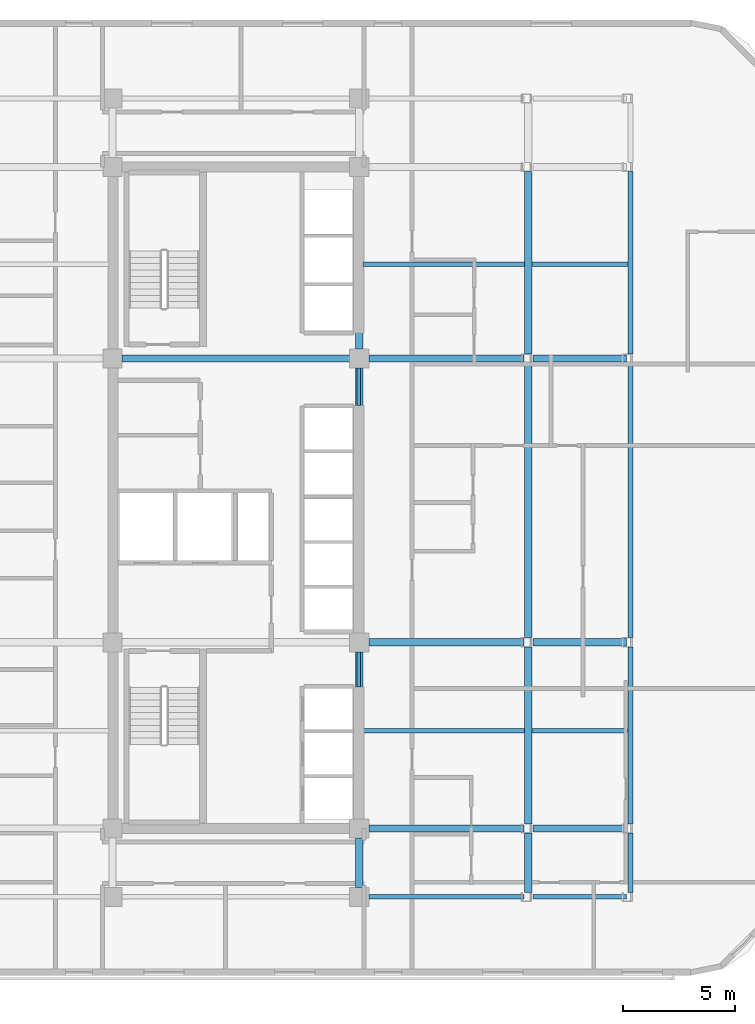
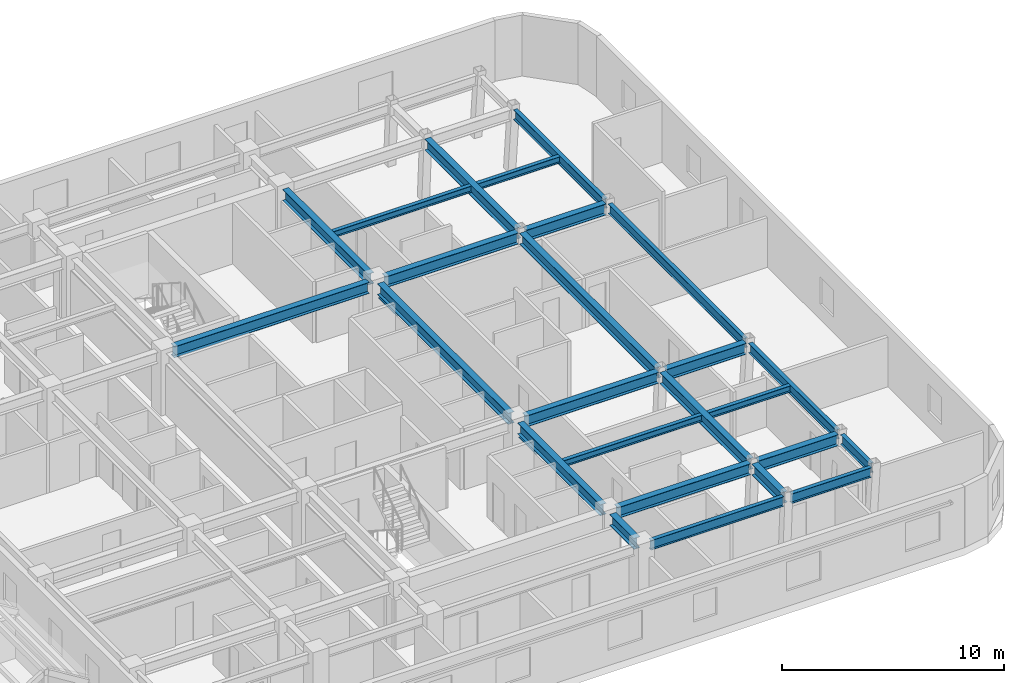
# One storey, part 5 of 19: 27 beams.
"""IFC4 building model written with IfcOpenShell, lengths in metres."""

from ifc_helpers import new_model, si_unit, direction, frame, origin, origin_2d, place, context, subcontext, project, spatial, i_section, extrude, material, material_profile, profile_set, type_object, element, save


model = new_model("IFC4")

# Units and contexts
model_context = context("Model", 3, precision=1e-05, world=origin(), true_north=direction((0.0, 1.0)))
body_context = subcontext(model_context, "Body", "Model", "MODEL_VIEW")
ifc_project = project(units=[si_unit("LENGTHUNIT", "METRE"), si_unit("AREAUNIT", "SQUARE_METRE"), si_unit("VOLUMEUNIT", "CUBIC_METRE"), si_unit("PLANEANGLEUNIT", "RADIAN"), si_unit("MASSUNIT", "GRAM", prefix="KILO")], contexts=[model_context])

# Site, building, storey
site_placement = place(None, origin())
site = spatial("IfcSite", under=ifc_project, at=site_placement, CompositionType="ELEMENT")
building_placement = place(site_placement, origin())
building = spatial("IfcBuilding", under=site, at=building_placement, Name="Ochreholt Gables", CompositionType="ELEMENT")
storey_placement = place(building_placement, frame((0.0, 0.0, 76.800048828125)))
storey = spatial("IfcBuildingStorey", under=building, at=storey_placement, Name="L19", CompositionType="ELEMENT", Elevation=76.800048828125)

# Beams
ifc_material = material(Name="Steel CSA G40.21 350W", Category="steel")
ifc_material_profile_1 = material_profile(ifc_material, i_section(OverallWidth=0.323974609375, OverallDepth=0.611083984375, WebThickness=0.0126953125, FlangeThickness=0.01904296875, at=origin_2d()), Name="W610X155")
ifc_profile_set_1 = profile_set([ifc_material_profile_1], Name="Steel CSA G40.21 350W")
beam_type_1 = type_object("IfcBeamType", Name="BM-G-W610A", PredefinedType="BEAM", material=ifc_profile_set_1)
beam_1_placement = place(storey_placement, frame((35.62451171875, 9.25, 3.054443359375), z_axis=(1.0, 0.0, 0.0), x_axis=(0.0, 1.0, 0.0)))
element("IfcBeam", 1, at=beam_1_placement, inside=storey, type_object=beam_type_1, Name="L19 Beam TBG-L19-C2EM-Y2", PredefinedType="BEAM", context=body_context, shape_type="SweptSolid", body=[
    extrude(i_section(OverallWidth=0.323974609375, OverallDepth=0.611083984375, WebThickness=0.0126953125, FlangeThickness=0.01904296875, at=origin_2d()), origin(), (0.0, 0.0, 1.0), 6.9228515625),
])
beam_2_placement = place(storey_placement, frame((42.95263671875, 9.25, 3.054443359375), z_axis=(1.0, 0.0, 0.0), x_axis=(0.0, 1.0, 0.0)))
element("IfcBeam", 2, at=beam_2_placement, inside=storey, type_object=beam_type_1, Name="L19 Beam TBG-L19-EMEE-Y2", PredefinedType="BEAM", context=body_context, shape_type="SweptSolid", body=[
    extrude(i_section(OverallWidth=0.323974609375, OverallDepth=0.611083984375, WebThickness=0.0126953125, FlangeThickness=0.01904296875, at=origin_2d()), origin(), (0.0, 0.0, 1.0), 4.164794921875),
])
beam_3_placement = place(storey_placement, frame((35.62451171875, 17.550048828125, 3.054443359375), z_axis=(1.0, 0.0, 0.0), x_axis=(0.0, 1.0, 0.0)))
element("IfcBeam", 3, at=beam_3_placement, inside=storey, type_object=beam_type_1, Name="L19 Beam TBG-L19-C2EM-Y3", PredefinedType="BEAM", context=body_context, shape_type="SweptSolid", body=[
    extrude(i_section(OverallWidth=0.323974609375, OverallDepth=0.611083984375, WebThickness=0.0126953125, FlangeThickness=0.01904296875, at=origin_2d()), origin(), (0.0, 0.0, 1.0), 6.9228515625),
])
beam_4_placement = place(storey_placement, frame((42.95263671875, 17.550048828125, 3.054443359375), z_axis=(1.0, 0.0, 0.0), x_axis=(0.0, 1.0, 0.0)))
element("IfcBeam", 4, at=beam_4_placement, inside=storey, type_object=beam_type_1, Name="L19 Beam TBG-L19-EMEE-Y3", PredefinedType="BEAM", context=body_context, shape_type="SweptSolid", body=[
    extrude(i_section(OverallWidth=0.323974609375, OverallDepth=0.611083984375, WebThickness=0.0126953125, FlangeThickness=0.01904296875, at=origin_2d()), origin(), (0.0, 0.0, 1.0), 4.164794921875),
])
beam_5_placement = place(storey_placement, frame((24.62451171875, 30.199951171875, 3.054443359375), z_axis=(1.0, 0.0, 0.0), x_axis=(0.0, 1.0, 0.0)))
element("IfcBeam", 5, at=beam_5_placement, inside=storey, type_object=beam_type_1, Name="L19 Beam TBG-L19-C1C2-Y4", PredefinedType="BEAM", context=body_context, shape_type="SweptSolid", body=[
    extrude(i_section(OverallWidth=0.323974609375, OverallDepth=0.611083984375, WebThickness=0.0126953125, FlangeThickness=0.01904296875, at=origin_2d()), origin(), (0.0, 0.0, 1.0), 10.15087890625),
])
beam_6_placement = place(storey_placement, frame((35.62451171875, 30.199951171875, 3.054443359375), z_axis=(1.0, 0.0, 0.0), x_axis=(0.0, 1.0, 0.0)))
element("IfcBeam", 6, at=beam_6_placement, inside=storey, type_object=beam_type_1, Name="L19 Beam TBG-L19-C2EM-Y4", PredefinedType="BEAM", context=body_context, shape_type="SweptSolid", body=[
    extrude(i_section(OverallWidth=0.323974609375, OverallDepth=0.611083984375, WebThickness=0.0126953125, FlangeThickness=0.01904296875, at=origin_2d()), origin(), (0.0, 0.0, 1.0), 6.9228515625),
])
beam_7_placement = place(storey_placement, frame((42.95263671875, 30.199951171875, 3.054443359375), z_axis=(1.0, 0.0, 0.0), x_axis=(0.0, 1.0, 0.0)))
element("IfcBeam", 7, at=beam_7_placement, inside=storey, type_object=beam_type_1, Name="L19 Beam TBG-L19-EMEE-Y4", PredefinedType="BEAM", context=body_context, shape_type="SweptSolid", body=[
    extrude(i_section(OverallWidth=0.323974609375, OverallDepth=0.611083984375, WebThickness=0.0126953125, FlangeThickness=0.01904296875, at=origin_2d()), origin(), (0.0, 0.0, 1.0), 4.164794921875),
])
beam_8_placement = place(storey_placement, frame((35.199951171875, 6.62451171875, 3.054443359375), z_axis=(0.0, 1.0, 0.0), x_axis=(-1.0, 0.0, 0.0)))
element("IfcBeam", 8, at=beam_8_placement, inside=storey, type_object=beam_type_1, Name="L19 Beam TBN-L19-C2-Y1Y2", PredefinedType="BEAM", context=body_context, shape_type="SweptSolid", body=[
    extrude(i_section(OverallWidth=0.323974609375, OverallDepth=0.611083984375, WebThickness=0.0126953125, FlangeThickness=0.01904296875, at=origin_2d()), origin(), (0.0, 0.0, 1.0), 2.200927734375),
])
beam_9_placement = place(storey_placement, frame((35.199951171875, 9.674560546875, 3.054443359375), z_axis=(0.0, 1.0, 0.0), x_axis=(-1.0, 0.0, 0.0)))
element("IfcBeam", 9, at=beam_9_placement, inside=storey, type_object=beam_type_1, Name="L19 Beam TBN-L19-C2-Y2Y3", PredefinedType="BEAM", context=body_context, shape_type="SweptSolid", body=[
    extrude(i_section(OverallWidth=0.323974609375, OverallDepth=0.611083984375, WebThickness=0.0126953125, FlangeThickness=0.01904296875, at=origin_2d()), origin(), (0.0, 0.0, 1.0), 7.450927734375),
])
beam_10_placement = place(storey_placement, frame((35.199951171875, 17.974609375, 3.054443359375), z_axis=(0.0, 1.0, 0.0), x_axis=(-1.0, 0.0, 0.0)))
element("IfcBeam", 10, at=beam_10_placement, inside=storey, type_object=beam_type_1, Name="L19 Beam TBN-L19-C2-Y3Y4", PredefinedType="BEAM", context=body_context, shape_type="SweptSolid", body=[
    extrude(i_section(OverallWidth=0.323974609375, OverallDepth=0.611083984375, WebThickness=0.0126953125, FlangeThickness=0.01904296875, at=origin_2d()), origin(), (0.0, 0.0, 1.0), 11.80078125),
])
beam_11_placement = place(storey_placement, frame((35.199951171875, 30.62451171875, 3.054443359375), z_axis=(0.0, 1.0, 0.0), x_axis=(-1.0, 0.0, 0.0)))
element("IfcBeam", 11, at=beam_11_placement, inside=storey, type_object=beam_type_1, Name="L19 Beam TBN-L19-C2-Y4Y5", PredefinedType="BEAM", context=body_context, shape_type="SweptSolid", body=[
    extrude(i_section(OverallWidth=0.323974609375, OverallDepth=0.611083984375, WebThickness=0.0126953125, FlangeThickness=0.01904296875, at=origin_2d()), origin(), (0.0, 0.0, 1.0), 7.700927734375),
])
beam_12_placement = place(storey_placement, frame((42.73291015625, 6.402587890625, 3.054443359375), z_axis=(0.0, 1.0, 0.0), x_axis=(-1.0, 0.0, 0.0)))
element("IfcBeam", 12, at=beam_12_placement, inside=storey, type_object=beam_type_1, Name="L19 Beam TBN-L19-EM-Y1Y2", PredefinedType="BEAM", context=body_context, shape_type="SweptSolid", body=[
    extrude(i_section(OverallWidth=0.323974609375, OverallDepth=0.611083984375, WebThickness=0.0126953125, FlangeThickness=0.01904296875, at=origin_2d()), origin(), (0.0, 0.0, 1.0), 2.644775390625),
])
beam_13_placement = place(storey_placement, frame((42.73291015625, 9.45263671875, 3.054443359375), z_axis=(0.0, 1.0, 0.0), x_axis=(-1.0, 0.0, 0.0)))
element("IfcBeam", 13, at=beam_13_placement, inside=storey, type_object=beam_type_1, Name="L19 Beam TBN-L19-EM-Y2Y3", PredefinedType="BEAM", context=body_context, shape_type="SweptSolid", body=[
    extrude(i_section(OverallWidth=0.323974609375, OverallDepth=0.611083984375, WebThickness=0.0126953125, FlangeThickness=0.01904296875, at=origin_2d()), origin(), (0.0, 0.0, 1.0), 7.894775390625),
])
beam_14_placement = place(storey_placement, frame((42.73291015625, 17.752685546875, 3.054443359375), z_axis=(0.0, 1.0, 0.0), x_axis=(-1.0, 0.0, 0.0)))
element("IfcBeam", 14, at=beam_14_placement, inside=storey, type_object=beam_type_1, Name="L19 Beam TBN-L19-EM-Y3Y4", PredefinedType="BEAM", context=body_context, shape_type="SweptSolid", body=[
    extrude(i_section(OverallWidth=0.323974609375, OverallDepth=0.611083984375, WebThickness=0.0126953125, FlangeThickness=0.01904296875, at=origin_2d()), origin(), (0.0, 0.0, 1.0), 12.24462890625),
])
beam_15_placement = place(storey_placement, frame((42.73291015625, 30.402587890625, 3.054443359375), z_axis=(0.0, 1.0, 0.0), x_axis=(-1.0, 0.0, 0.0)))
element("IfcBeam", 15, at=beam_15_placement, inside=storey, type_object=beam_type_1, Name="L19 Beam TBN-L19-EM-Y4Y5", PredefinedType="BEAM", context=body_context, shape_type="SweptSolid", body=[
    extrude(i_section(OverallWidth=0.323974609375, OverallDepth=0.611083984375, WebThickness=0.0126953125, FlangeThickness=0.01904296875, at=origin_2d()), origin(), (0.0, 0.0, 1.0), 8.144775390625),
])
ifc_material_profile_2 = material_profile(ifc_material, i_section(OverallWidth=0.205078125, OverallDepth=0.35400390625, WebThickness=0.009521484375, FlangeThickness=0.016845703125, at=origin_2d()), Name="W360X79")
ifc_profile_set_2 = profile_set([ifc_material_profile_2], Name="Steel CSA G40.21 350W")
beam_type_2 = type_object("IfcBeamType", Name="BM-J-W360A", PredefinedType="JOIST", material=ifc_profile_set_2)
beam_16_placement = place(storey_placement, frame((35.361572265625, 13.60009765625, 3.182861328125), z_axis=(1.0, 0.0, 0.0), x_axis=(0.0, 1.0, 0.0)))
element("IfcBeam", 16, at=beam_16_placement, inside=storey, type_object=beam_type_2, Name="L19 Beam TBJ-L19-J1-C2EM", PredefinedType="JOIST", context=body_context, shape_type="SweptSolid", body=[
    extrude(i_section(OverallWidth=0.205078125, OverallDepth=0.35400390625, WebThickness=0.009521484375, FlangeThickness=0.016845703125, at=origin_2d()), origin(), (0.0, 0.0, 1.0), 7.209716796875),
])
beam_17_placement = place(storey_placement, frame((42.894287109375, 13.60009765625, 3.182861328125), z_axis=(1.0, 0.0, 0.0), x_axis=(0.0, 1.0, 0.0)))
element("IfcBeam", 17, at=beam_17_placement, inside=storey, type_object=beam_type_2, Name="L19 Beam TBJ-L19-J1-EMEE", PredefinedType="JOIST", context=body_context, shape_type="SweptSolid", body=[
    extrude(i_section(OverallWidth=0.205078125, OverallDepth=0.35400390625, WebThickness=0.009521484375, FlangeThickness=0.016845703125, at=origin_2d()), origin(), (0.0, 0.0, 1.0), 4.293212890625),
])
beam_18_placement = place(storey_placement, frame((35.361572265625, 34.39990234375, 3.182861328125), z_axis=(1.0, 0.0, 0.0), x_axis=(0.0, 1.0, 0.0)))
element("IfcBeam", 18, at=beam_18_placement, inside=storey, type_object=beam_type_2, Name="L19 Beam TBJ-L19-J2-C2EM", PredefinedType="JOIST", context=body_context, shape_type="SweptSolid", body=[
    extrude(i_section(OverallWidth=0.205078125, OverallDepth=0.35400390625, WebThickness=0.009521484375, FlangeThickness=0.016845703125, at=origin_2d()), origin(), (0.0, 0.0, 1.0), 7.209716796875),
])
beam_19_placement = place(storey_placement, frame((42.894287109375, 34.39990234375, 3.182861328125), z_axis=(1.0, 0.0, 0.0), x_axis=(0.0, 1.0, 0.0)))
element("IfcBeam", 19, at=beam_19_placement, inside=storey, type_object=beam_type_2, Name="L19 Beam TBJ-L19-J2-EMEE", PredefinedType="JOIST", context=body_context, shape_type="SweptSolid", body=[
    extrude(i_section(OverallWidth=0.205078125, OverallDepth=0.35400390625, WebThickness=0.009521484375, FlangeThickness=0.016845703125, at=origin_2d()), origin(), (0.0, 0.0, 1.0), 4.293212890625),
])
ifc_material_profile_3 = material_profile(ifc_material, i_section(OverallWidth=0.1650390625, OverallDepth=0.200927734375, WebThickness=0.006103515625, FlangeThickness=0.01025390625, at=origin_2d()), Name="W200X36")
ifc_profile_set_3 = profile_set([ifc_material_profile_3], Name="Steel CSA G40.21 350W")
beam_type_3 = type_object("IfcBeamType", Name="BM-LIN-W200", PredefinedType="LINTEL", material=ifc_profile_set_3)
beam_20_placement = place(storey_placement, frame((35.175048828125, 15.550048828125, 2.6484375), z_axis=(0.0, 1.0, 0.0), x_axis=(-1.0, 0.0, 0.0)))
element("IfcBeam", 20, at=beam_20_placement, inside=storey, type_object=beam_type_3, Name="L19 Core Coupling Lintel CPS", PredefinedType="LINTEL", context=body_context, shape_type="SweptSolid", body=[
    extrude(i_section(OverallWidth=0.1650390625, OverallDepth=0.200927734375, WebThickness=0.006103515625, FlangeThickness=0.01025390625, at=origin_2d()), origin(), (0.0, 0.0, 1.0), 1.574951171875),
])
beam_21_placement = place(storey_placement, frame((35.175048828125, 28.10009765625, 2.6484375), z_axis=(0.0, 1.0, 0.0), x_axis=(-1.0, 0.0, 0.0)))
element("IfcBeam", 21, at=beam_21_placement, inside=storey, type_object=beam_type_3, Name="L19 Core Coupling Lintel CPN", PredefinedType="LINTEL", context=body_context, shape_type="SweptSolid", body=[
    extrude(i_section(OverallWidth=0.1650390625, OverallDepth=0.200927734375, WebThickness=0.006103515625, FlangeThickness=0.01025390625, at=origin_2d()), origin(), (0.0, 0.0, 1.0), 1.6748046875),
])
ifc_material_profile_4 = material_profile(ifc_material, i_section(OverallWidth=0.208984375, OverallDepth=0.532958984375, WebThickness=0.01025390625, FlangeThickness=0.015625, at=origin_2d()), Name="W530X92")
ifc_profile_set_4 = profile_set([ifc_material_profile_4], Name="Steel CSA G40.21 350W")
beam_type_4 = type_object("IfcBeamType", Name="BM-SP-W530B", PredefinedType="SPANDREL", material=ifc_profile_set_4)
beam_22_placement = place(storey_placement, frame((35.62451171875, 6.199951171875, 3.093505859375), z_axis=(1.0, 0.0, 0.0), x_axis=(0.0, 1.0, 0.0)))
element("IfcBeam", 22, at=beam_22_placement, inside=storey, type_object=beam_type_4, Name="L19 Beam TBG-L19-C2EM-Y1", PredefinedType="SPANDREL", context=body_context, shape_type="SweptSolid", body=[
    extrude(i_section(OverallWidth=0.208984375, OverallDepth=0.532958984375, WebThickness=0.01025390625, FlangeThickness=0.015625, at=origin_2d()), origin(), (0.0, 0.0, 1.0), 6.9228515625),
])
beam_23_placement = place(storey_placement, frame((42.95263671875, 6.199951171875, 3.093505859375), z_axis=(1.0, 0.0, 0.0), x_axis=(0.0, 1.0, 0.0)))
element("IfcBeam", 23, at=beam_23_placement, inside=storey, type_object=beam_type_4, Name="L19 Beam TBG-L19-EMEE-Y1", PredefinedType="SPANDREL", context=body_context, shape_type="SweptSolid", body=[
    extrude(i_section(OverallWidth=0.208984375, OverallDepth=0.532958984375, WebThickness=0.01025390625, FlangeThickness=0.015625, at=origin_2d()), origin(), (0.0, 0.0, 1.0), 4.164794921875),
])
beam_24_placement = place(storey_placement, frame((47.29150390625, 6.402587890625, 3.093505859375), z_axis=(0.0, 1.0, 0.0), x_axis=(-1.0, 0.0, 0.0)))
element("IfcBeam", 24, at=beam_24_placement, inside=storey, type_object=beam_type_4, Name="L19 Beam TBN-L19-EE-Y1Y2", PredefinedType="SPANDREL", context=body_context, shape_type="SweptSolid", body=[
    extrude(i_section(OverallWidth=0.208984375, OverallDepth=0.532958984375, WebThickness=0.01025390625, FlangeThickness=0.015625, at=origin_2d()), origin(), (0.0, 0.0, 1.0), 2.644775390625),
])
beam_25_placement = place(storey_placement, frame((47.29150390625, 9.45263671875, 3.093505859375), z_axis=(0.0, 1.0, 0.0), x_axis=(-1.0, 0.0, 0.0)))
element("IfcBeam", 25, at=beam_25_placement, inside=storey, type_object=beam_type_4, Name="L19 Beam TBN-L19-EE-Y2Y3", PredefinedType="SPANDREL", context=body_context, shape_type="SweptSolid", body=[
    extrude(i_section(OverallWidth=0.208984375, OverallDepth=0.532958984375, WebThickness=0.01025390625, FlangeThickness=0.015625, at=origin_2d()), origin(), (0.0, 0.0, 1.0), 7.894775390625),
])
beam_26_placement = place(storey_placement, frame((47.29150390625, 17.752685546875, 3.093505859375), z_axis=(0.0, 1.0, 0.0), x_axis=(-1.0, 0.0, 0.0)))
element("IfcBeam", 26, at=beam_26_placement, inside=storey, type_object=beam_type_4, Name="L19 Beam TBN-L19-EE-Y3Y4", PredefinedType="SPANDREL", context=body_context, shape_type="SweptSolid", body=[
    extrude(i_section(OverallWidth=0.208984375, OverallDepth=0.532958984375, WebThickness=0.01025390625, FlangeThickness=0.015625, at=origin_2d()), origin(), (0.0, 0.0, 1.0), 12.24462890625),
])
beam_27_placement = place(storey_placement, frame((47.29150390625, 30.402587890625, 3.093505859375), z_axis=(0.0, 1.0, 0.0), x_axis=(-1.0, 0.0, 0.0)))
element("IfcBeam", 27, at=beam_27_placement, inside=storey, type_object=beam_type_4, Name="L19 Beam TBN-L19-EE-Y4Y5", PredefinedType="SPANDREL", context=body_context, shape_type="SweptSolid", body=[
    extrude(i_section(OverallWidth=0.208984375, OverallDepth=0.532958984375, WebThickness=0.01025390625, FlangeThickness=0.015625, at=origin_2d()), origin(), (0.0, 0.0, 1.0), 8.144775390625),
])

save(model, "model.ifc")
